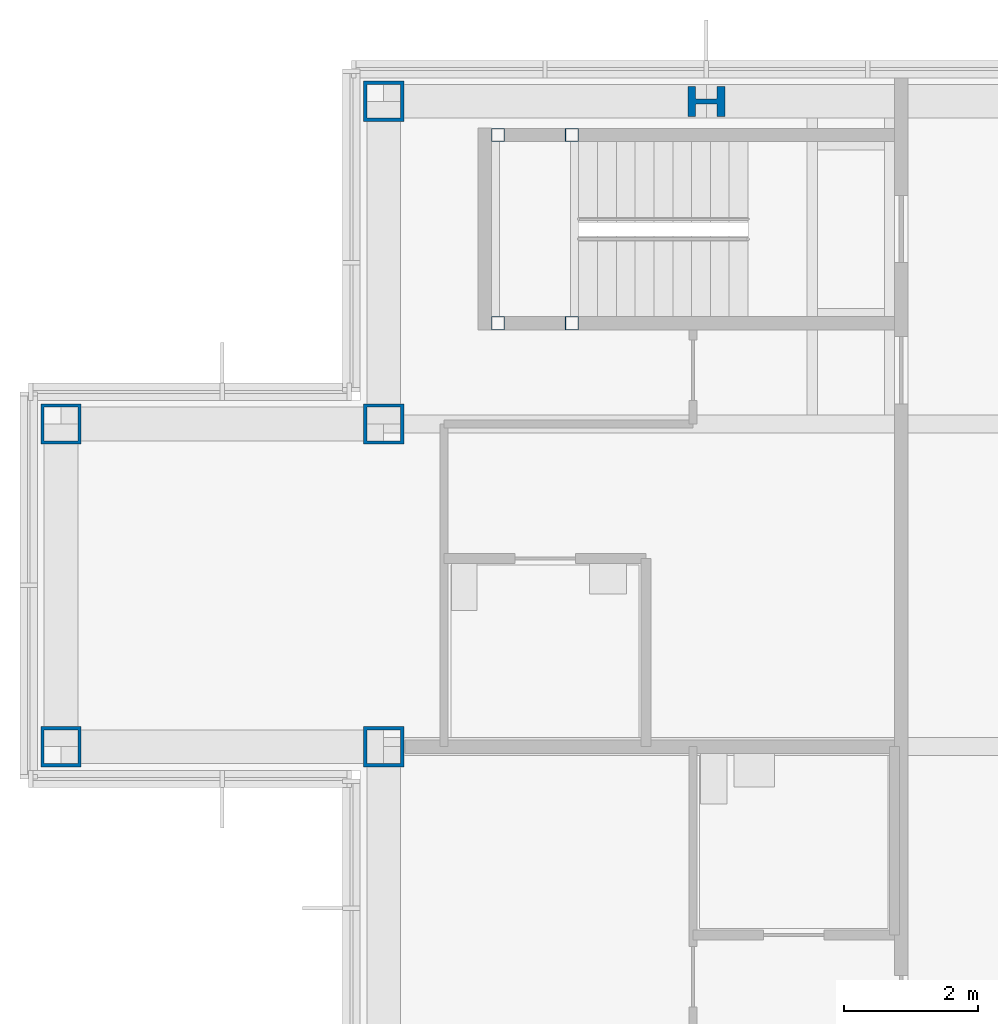
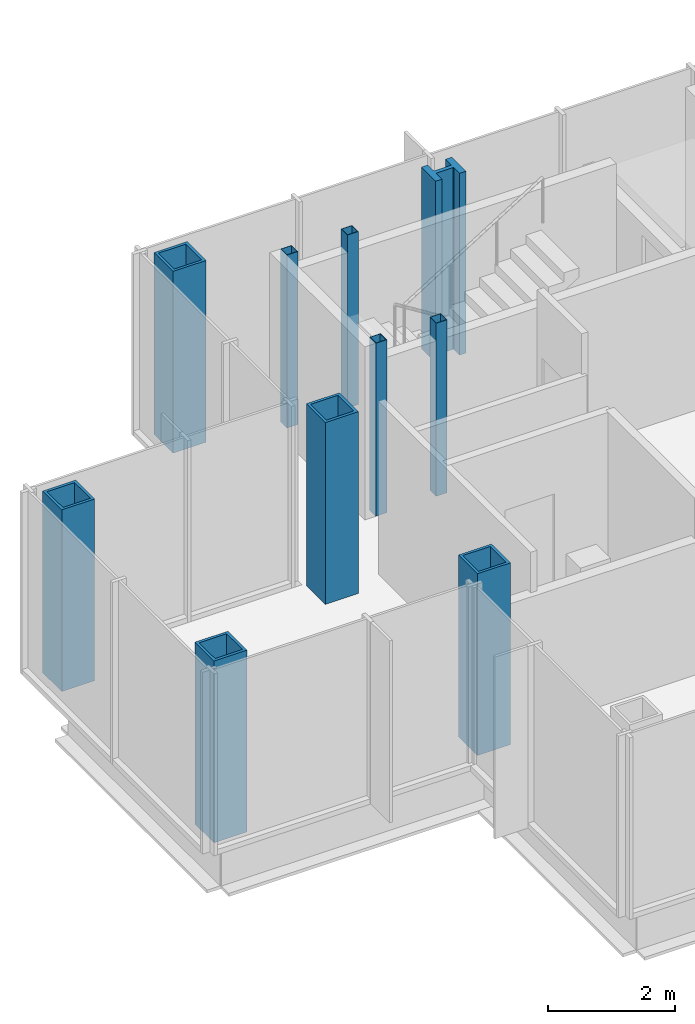
# One storey, part 3 of 15: 10 columns.
"""IFC4 building model written with IfcOpenShell, lengths in metres."""

from ifc_helpers import new_model, si_unit, direction, frame, origin, origin_2d, place, context, subcontext, project, spatial, hollow_rectangle, i_section, extrude, material, material_profile, profile_set, type_object, element, save


model = new_model("IFC4")

# Units and contexts
model_context = context("Model", 3, precision=1e-05, world=origin(), true_north=direction((0.0, 1.0)))
body_context = subcontext(model_context, "Body", "Model", "MODEL_VIEW")
ifc_project = project(units=[si_unit("LENGTHUNIT", "METRE"), si_unit("AREAUNIT", "SQUARE_METRE"), si_unit("VOLUMEUNIT", "CUBIC_METRE"), si_unit("PLANEANGLEUNIT", "RADIAN"), si_unit("MASSUNIT", "GRAM", prefix="KILO")], contexts=[model_context])

# Site, building, storey
site_placement = place(None, origin())
site = spatial("IfcSite", under=ifc_project, at=site_placement, CompositionType="ELEMENT")
building_placement = place(site_placement, origin())
building = spatial("IfcBuilding", under=site, at=building_placement, Name="Kvirike Care Tower", CompositionType="ELEMENT")
storey_placement = place(building_placement, frame((0.0, 0.0, 226.0)))
storey = spatial("IfcBuildingStorey", under=building, at=storey_placement, Name="L62", CompositionType="ELEMENT", Elevation=226.0)

# Columns
ifc_material_1 = material(Name="Steel S460", Category="steel")
ifc_material_profile_1 = material_profile(ifc_material_1, hollow_rectangle(XDim=0.60009765625, YDim=0.60009765625, WallThickness=0.050048828125, at=origin_2d()), Name="BX 600x600x50")
ifc_profile_set_1 = profile_set([ifc_material_profile_1], Name="Steel S460")
column_type_1 = type_object("IfcColumnType", Name="COLUMN BX 600x600x50", PredefinedType="COLUMN", material=ifc_profile_set_1)
for number, where, z_axis, x_axis, name in (
    (1, (0.0, 33.60009765625, 0.0), (0.0, 0.0, 1.0), (0.0, 1.0, 0.0), "Column H3 L62"),
    (2, (0.0, 38.39990234375, 0.0), (0.0, 0.0, 1.0), (0.0, 1.0, 0.0), "Column J3 L62"),
    (3, (4.800048828125, 33.60009765625, 0.0), (0.0, 0.0, 1.0), (0.0, 1.0, 0.0), "Column H4 L62"),
    (4, (4.800048828125, 38.39990234375, 0.0), (0.0, 0.0, 1.0), (0.0, 1.0, 0.0), "Column J4 L62"),
    (5, (4.800048828125, 43.199951171875, 0.0), (0.0, 0.0, 1.0), (0.0, 1.0, 0.0), "Column K4 L62"),
):
    element("IfcColumn", number, at=place(storey_placement, frame(where, z_axis=z_axis, x_axis=x_axis)), inside=storey, type_object=column_type_1, Name=name, PredefinedType="COLUMN", context=body_context, shape_type="SweptSolid", body=[
        extrude(hollow_rectangle(XDim=0.60009765625, YDim=0.60009765625, WallThickness=0.050048828125, at=origin_2d()), origin(), (0.0, 0.0, 1.0), 3.5),
    ])
ifc_material_2 = material(Name="Steel S460", Category="steel")
ifc_material_profile_2 = material_profile(ifc_material_2, i_section(OverallWidth=0.447998046875, OverallDepth=0.550048828125, WebThickness=0.072021484375, FlangeThickness=0.114990234375, FilletRadius=0.014892578125, at=origin_2d()), Name="HD 400x990")
ifc_profile_set_2 = profile_set([ifc_material_profile_2], Name="Steel S460")
column_type_2 = type_object("IfcColumnType", Name="COLUMN HD 400x990", PredefinedType="COLUMN", material=ifc_profile_set_2)
column_placement = place(storey_placement, frame((9.60009765625, 43.199951171875, 0.0), z_axis=(0.0, 0.0, 1.0), x_axis=(0.0, 1.0, 0.0)))
element("IfcColumn", 6, at=column_placement, inside=storey, type_object=column_type_2, Name="Column K5 L62", PredefinedType="COLUMN", context=body_context, shape_type="SweptSolid", body=[
    extrude(i_section(OverallWidth=0.447998046875, OverallDepth=0.550048828125, WebThickness=0.072021484375, FlangeThickness=0.114990234375, FilletRadius=0.014892578125, at=origin_2d()), origin(), (0.0, 0.0, 1.0), 3.5),
])
ifc_material_3 = material(Name="Steel S460", Category="steel")
ifc_material_profile_3 = material_profile(ifc_material_3, hollow_rectangle(XDim=0.199951171875, YDim=0.199951171875, WallThickness=0.008056640625, at=origin_2d()), Name="SHS 200x200x8")
ifc_profile_set_3 = profile_set([ifc_material_profile_3], Name="Steel S460")
column_type_3 = type_object("IfcColumnType", Name="STAIR POST SHS 200x200x8", PredefinedType="COLUMN", material=ifc_profile_set_3)
for number, where, z_axis, x_axis, name in (
    (7, (6.5, 42.699951171875, 0.0), (0.0, 0.0, 1.0), (1.0, 0.0, 0.0), "Stair 1 post 1 L62"),
    (8, (6.5, 39.89990234375, 0.0), (0.0, 0.0, 1.0), (1.0, 0.0, 0.0), "Stair 1 post 2 L62"),
    (9, (7.60009765625, 42.699951171875, 0.0), (0.0, 0.0, 1.0), (1.0, 0.0, 0.0), "Stair 1 post 3 L62"),
    (10, (7.60009765625, 39.89990234375, 0.0), (0.0, 0.0, 1.0), (1.0, 0.0, 0.0), "Stair 1 post 4 L62"),
):
    element("IfcColumn", number, at=place(storey_placement, frame(where, z_axis=z_axis, x_axis=x_axis)), inside=storey, type_object=column_type_3, Name=name, PredefinedType="COLUMN", context=body_context, shape_type="SweptSolid", body=[
        extrude(hollow_rectangle(XDim=0.199951171875, YDim=0.199951171875, WallThickness=0.008056640625, at=origin_2d()), origin(), (0.0, 0.0, 1.0), 3.330078125),
    ])

save(model, "model.ifc")
